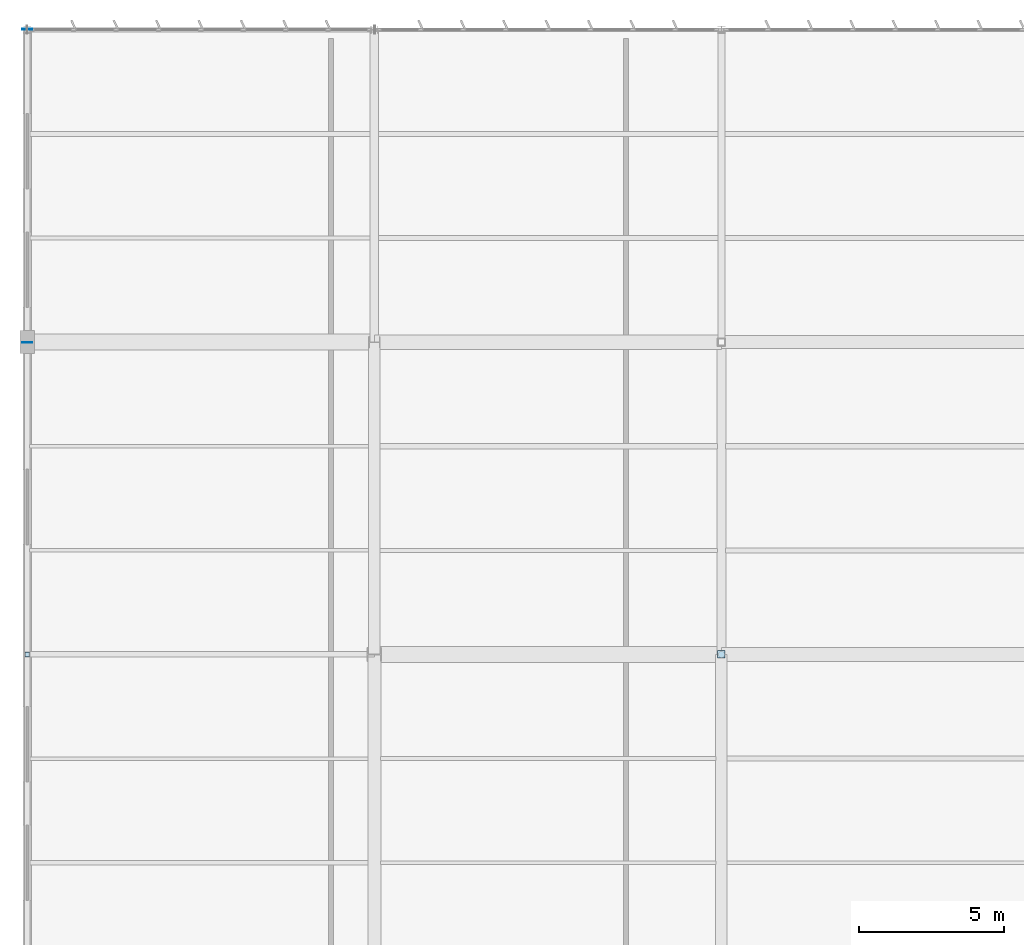
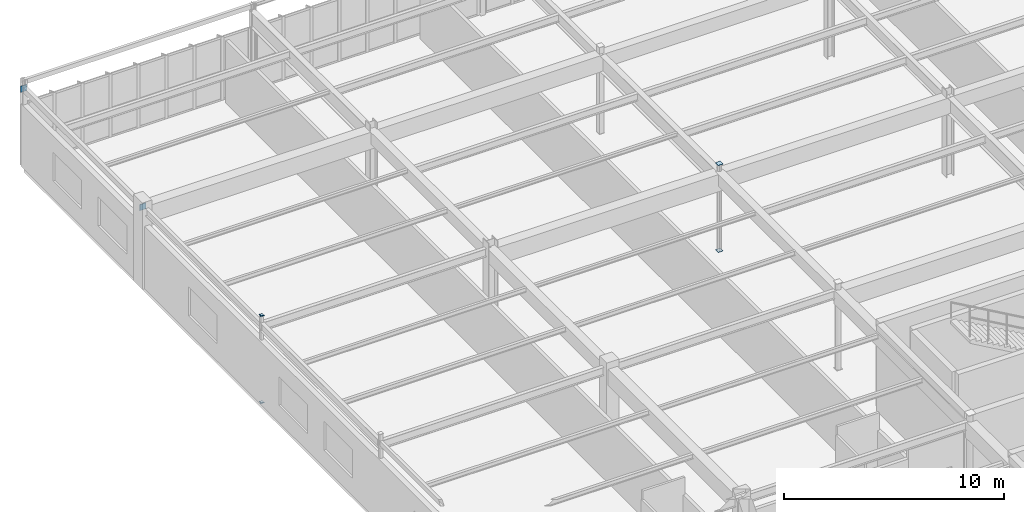
# One storey, part 169 of 226: 6 plates.
"""IFC4 building model written with IfcOpenShell, lengths in metres."""

from ifc_helpers import new_model, si_unit, direction, frame, origin, origin_2d, place, context, subcontext, project, spatial, rectangle, extrude, material, layer, layer_set, type_object, element, save


model = new_model("IFC4")

# Units and contexts
model_context = context("Model", 3, precision=1e-05, world=origin(), true_north=direction((0.0, 1.0)))
body_context = subcontext(model_context, "Body", "Model", "MODEL_VIEW")
ifc_project = project(units=[si_unit("LENGTHUNIT", "METRE"), si_unit("AREAUNIT", "SQUARE_METRE"), si_unit("VOLUMEUNIT", "CUBIC_METRE"), si_unit("PLANEANGLEUNIT", "RADIAN"), si_unit("MASSUNIT", "GRAM", prefix="KILO")], contexts=[model_context])

# Site, building, storey
site_placement = place(None, origin())
site = spatial("IfcSite", under=ifc_project, at=site_placement, CompositionType="ELEMENT")
building_placement = place(site_placement, origin())
building = spatial("IfcBuilding", under=site, at=building_placement, Name="Tarnwether General Hospital", CompositionType="ELEMENT")
storey_placement = place(building_placement, frame((0.0, 0.0, 4.800048828125)))
storey = spatial("IfcBuildingStorey", under=building, at=storey_placement, Name="L01", CompositionType="ELEMENT", Elevation=4.800048828125)

# Plates
ifc_material = material(Name="Steel Grade 350 (350 MPa)", Category="steel")
ifc_layer = layer(ifc_material, 0.02490234375)
ifc_layer_set = layer_set([ifc_layer], Name="Steel Grade 350 (350 MPa)")
plate_type = type_object("IfcPlateType", Name="PT-GUS2", PredefinedType="USERDEFINED", material=ifc_layer_set)
for number, where, z_axis, x_axis, name in (
    (1, (0.0, 104.39990234375, -0.02490234375), (0.0, 0.0, 1.0), (1.0, 0.0, 0.0), "Hollow Section Welded End Cap Plate 0025"),
    (2, (0.0, 104.39990234375, 4.800048828125), (0.0, 0.0, 1.0), (1.0, 0.0, 0.0), "Hollow Section Welded End Cap Plate 0026"),
):
    element("IfcPlate", number, at=place(storey_placement, frame(where, z_axis=z_axis, x_axis=x_axis)), inside=storey, type_object=plate_type, Name=name, ObjectType="GUSSET", PredefinedType="USERDEFINED", context=body_context, shape_type="SweptSolid", body=[
        extrude(rectangle(XDim=0.1650390625, YDim=0.1650390625, at=origin_2d()), origin(), (0.0, 0.0, 1.0), 0.02490234375),
    ])
for number, where, z_axis, x_axis, name in (
    (3, (24.0, 104.39990234375, -0.02490234375), (0.0, 0.0, 1.0), (1.0, 0.0, 0.0), "Hollow Section Welded End Cap Plate 0061"),
    (4, (24.0, 104.39990234375, 4.800048828125), (0.0, 0.0, 1.0), (1.0, 0.0, 0.0), "Hollow Section Welded End Cap Plate 0062"),
):
    element("IfcPlate", number, at=place(storey_placement, frame(where, z_axis=z_axis, x_axis=x_axis)), inside=storey, type_object=plate_type, Name=name, ObjectType="GUSSET", PredefinedType="USERDEFINED", context=body_context, shape_type="SweptSolid", body=[
        extrude(rectangle(XDim=0.259033203125, YDim=0.259033203125, at=origin_2d()), origin(), (0.0, 0.0, 1.0), 0.02490234375),
    ])
for number, where, z_axis, x_axis, name in (
    (5, (0.0, 115.1875, 4.10986328125), (0.0, 0.0, 1.0), (0.0, 1.0, 0.0), "Hollow Section Welded End Cap Plate 0911"),
    (6, (0.0, 126.012451171875, 4.10986328125), (0.0, 0.0, 1.0), (0.0, 1.0, 0.0), "Hollow Section Welded End Cap Plate 0912"),
):
    element("IfcPlate", number, at=place(storey_placement, frame(where, z_axis=z_axis, x_axis=x_axis)), inside=storey, type_object=plate_type, Name=name, ObjectType="GUSSET", PredefinedType="USERDEFINED", context=body_context, shape_type="SweptSolid", body=[
        extrude(rectangle(XDim=0.02490234375, YDim=0.340087890625, at=origin_2d()), origin(), (0.0, 0.0, 1.0), 0.340087890625),
    ])

save(model, "model.ifc")
